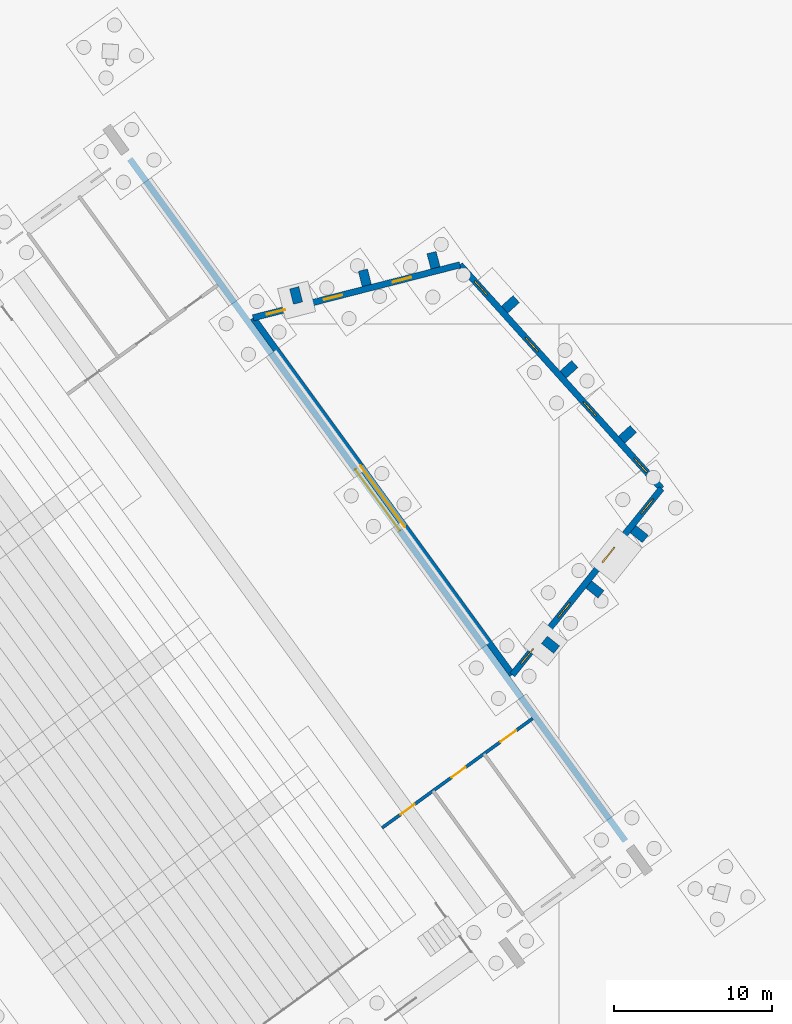
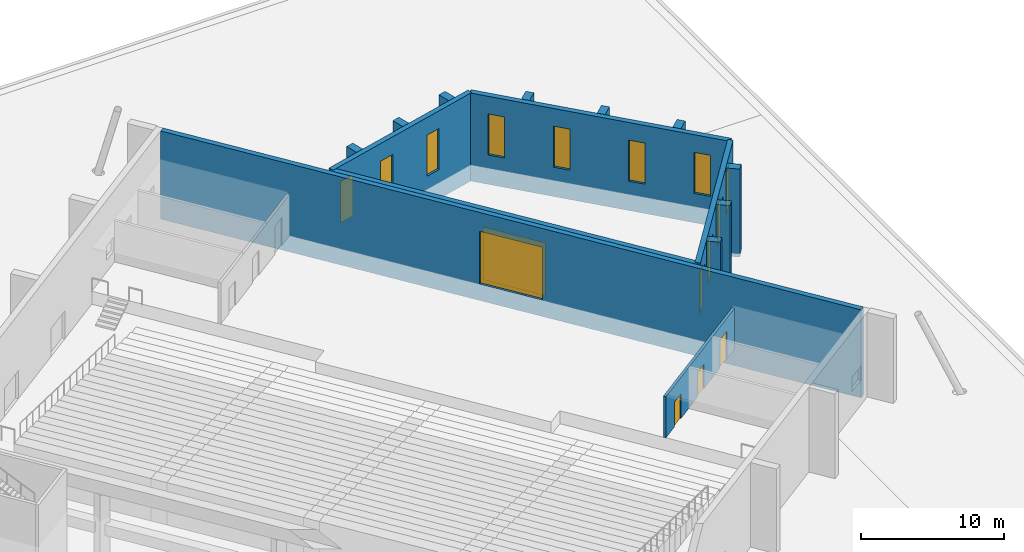
# One storey, part 189 of 239: 15 walls, 11 windows, 5 doors, 16 openings.
"""IFC4 building model written with IfcOpenShell, lengths in metres."""

from ifc_helpers import new_model, si_unit, direction, frame, frame_2d, origin, place, context, subcontext, project, spatial, rectangle, extrude, material, layer, layer_set, type_object, element, fill, save


model = new_model("IFC4")

# Units and contexts
model_context = context("Model", 3, precision=1e-05, world=origin(), true_north=direction((0.0, 1.0)))
body_context = subcontext(model_context, "Body", "Model", "MODEL_VIEW")
ifc_project = project(units=[si_unit("LENGTHUNIT", "METRE"), si_unit("AREAUNIT", "SQUARE_METRE"), si_unit("VOLUMEUNIT", "CUBIC_METRE"), si_unit("PLANEANGLEUNIT", "RADIAN"), si_unit("MASSUNIT", "GRAM", prefix="KILO")], contexts=[model_context])

# Site, building, storey
site_placement = place(None, origin())
site = spatial("IfcSite", under=ifc_project, at=site_placement, CompositionType="ELEMENT")
building_placement = place(site_placement, origin())
building = spatial("IfcBuilding", under=site, at=building_placement, Name="Okhra Congress Centre", CompositionType="ELEMENT")
storey_placement = place(building_placement, origin())
storey = spatial("IfcBuildingStorey", under=building, at=storey_placement, Name="L00", CompositionType="ELEMENT", Elevation=0.0)

# Wall, openings, doors
ifc_material_1 = material(Name="Concrete C30/37", Category="concrete")
ifc_layer_1 = layer(ifc_material_1, 0.199951171875)
ifc_layer_set_1 = layer_set([ifc_layer_1], Name="RC wall 200 REI 120 C30/37")
wall_type_1 = type_object("IfcWallType", Name="RC wall 200 REI 120 C30/37", PredefinedType="SOLIDWALL", material=ifc_layer_set_1)
wall_1_placement = place(storey_placement, frame((262.765380859375, 192.412841796875, 1.10009765625), z_axis=(0.0, 0.0, 1.0), x_axis=(0.809019610765, 0.587781651123, 0.0)))
wall_1 = element("IfcWall", 1, at=wall_1_placement, inside=storey, type_object=wall_type_1, Name="Stage wing S front wall", PredefinedType="SOLIDWALL", context=body_context, shape_type="SweptSolid", body=[
    extrude(rectangle(XDim=11.800048828125, YDim=0.199951171875, at=frame_2d((5.89990234375, 0.0))), origin(), (0.0, 0.0, 1.0), 3.5),
])
opening_1_placement = place(wall_1_placement, frame((1.449951171875, 0.0, 0.0)))
opening_1 = element("IfcOpeningElement", 2, at=opening_1_placement, cuts=wall_1, Name="Opening L00-238", PredefinedType="OPENING", context=body_context, shape_type="SweptSolid", body=[
    extrude(rectangle(XDim=1.10009765625, YDim=2.10009765625, at=frame_2d((0.550048828125, 1.050048828125))), frame((0.0, 0.10986328125, 0.0), z_axis=(0.0, -1.0, 0.0), x_axis=(1.0, 0.0, 0.0)), (0.0, 0.0, 1.0), 0.219970703125),
])
opening_2_placement = place(wall_1_placement, frame((5.449951171875, 0.0, 0.0)))
opening_2 = element("IfcOpeningElement", 3, at=opening_2_placement, cuts=wall_1, Name="Opening L00-239", PredefinedType="OPENING", context=body_context, shape_type="SweptSolid", body=[
    extrude(rectangle(XDim=1.10009765625, YDim=2.10009765625, at=frame_2d((0.550048828125, 1.050048828125))), frame((0.0, 0.10986328125, 0.0), z_axis=(0.0, -1.0, 0.0), x_axis=(1.0, 0.0, 0.0)), (0.0, 0.0, 1.0), 0.219970703125),
])
opening_3_placement = place(wall_1_placement, frame((9.300048828125, 0.0, 0.0)))
opening_3 = element("IfcOpeningElement", 4, at=opening_3_placement, cuts=wall_1, Name="Opening L00-240", PredefinedType="OPENING", context=body_context, shape_type="SweptSolid", body=[
    extrude(rectangle(XDim=1.199951171875, YDim=2.39990234375, at=frame_2d((0.60009765625, 1.199951171875))), frame((0.0, 0.10986328125, 0.0), z_axis=(0.0, -1.0, 0.0), x_axis=(1.0, 0.0, 0.0)), (0.0, 0.0, 1.0), 0.219970703125),
])
ifc_material_2 = material(Name="Timber door leaf in steel frame", Category="steel")
door_type_1 = type_object("IfcDoorType", Name="Single swing door 1100x2100", OperationType="NOTDEFINED", PredefinedType="DOOR", material=ifc_material_2)
door_1_placement = place(opening_1_placement, origin())
door_1 = element("IfcDoor", 5, at=door_1_placement, inside=storey, type_object=door_type_1, Name="Door L00-238", OperationType="SINGLE_SWING_LEFT", OverallHeight=2.10009765625, OverallWidth=1.10009765625, PredefinedType="DOOR", context=body_context, shape_type="SweptSolid", body=[
    extrude(rectangle(XDim=1.10009765625, YDim=2.10009765625, at=frame_2d((0.550048828125, 1.050048828125))), frame((0.0, 0.02490234375, 0.0), z_axis=(0.0, -1.0, 0.0), x_axis=(1.0, 0.0, 0.0)), (0.0, 0.0, 1.0), 0.050048828125),
])
fill(opening_1, door_1)
door_2_placement = place(opening_2_placement, origin())
door_2 = element("IfcDoor", 6, at=door_2_placement, inside=storey, type_object=door_type_1, Name="Door L00-239", OperationType="SINGLE_SWING_LEFT", OverallHeight=2.10009765625, OverallWidth=1.10009765625, PredefinedType="DOOR", context=body_context, shape_type="SweptSolid", body=[
    extrude(rectangle(XDim=1.10009765625, YDim=2.10009765625, at=frame_2d((0.550048828125, 1.050048828125))), frame((0.0, 0.02490234375, 0.0), z_axis=(0.0, -1.0, 0.0), x_axis=(1.0, 0.0, 0.0)), (0.0, 0.0, 1.0), 0.050048828125),
])
fill(opening_2, door_2)
ifc_material_3 = material(Name="Steel fire door leaf in steel frame, intumescent seals", Category="steel")
door_type_2 = type_object("IfcDoorType", Name="Steel fire door 1200x2400 EI 30", OperationType="NOTDEFINED", PredefinedType="DOOR", material=ifc_material_3)
door_3_placement = place(opening_3_placement, origin())
door_3 = element("IfcDoor", 7, at=door_3_placement, inside=storey, type_object=door_type_2, Name="Door L00-240", OperationType="SINGLE_SWING_LEFT", OverallHeight=2.39990234375, OverallWidth=1.199951171875, PredefinedType="DOOR", context=body_context, shape_type="SweptSolid", body=[
    extrude(rectangle(XDim=1.199951171875, YDim=2.39990234375, at=frame_2d((0.60009765625, 1.199951171875))), frame((0.0, 0.02490234375, 0.0), z_axis=(0.0, -1.0, 0.0), x_axis=(1.0, 0.0, 0.0)), (0.0, 0.0, 1.0), 0.050048828125),
])
fill(opening_3, door_3)

# Wall, opening, door
ifc_layer_2 = layer(ifc_material_1, 0.39990234375)
ifc_layer_set_2 = layer_set([ifc_layer_2], Name="RC wall 400 REI 120 C30/37")
wall_type_2 = type_object("IfcWallType", Name="RC wall 400 REI 120 C30/37", PredefinedType="SOLIDWALL", material=ifc_layer_set_2)
wall_2_placement = place(storey_placement, frame((278.20458984375, 191.578369140625, -0.300048828125), z_axis=(0.0, 0.0, 1.0), x_axis=(-0.587787147296, 0.809015617571, 0.0)))
wall_2 = element("IfcWall", 8, at=wall_2_placement, inside=storey, type_object=wall_type_2, Name="End wall E L00", PredefinedType="SOLIDWALL", context=body_context, shape_type="SweptSolid", body=[
    extrude(rectangle(XDim=53.499755859375, YDim=0.39990234375, at=frame_2d((26.75, 0.0))), origin(), (0.0, 0.0, 1.0), 7.5),
])
opening_4_placement = place(wall_2_placement, frame((24.35009765625, 0.0, 1.39990234375)))
opening_4 = element("IfcOpeningElement", 9, at=opening_4_placement, cuts=wall_2, Name="Opening L00-244", PredefinedType="OPENING", context=body_context, shape_type="SweptSolid", body=[
    extrude(rectangle(XDim=4.800048828125, YDim=4.5, at=frame_2d((2.39990234375, 2.25))), frame((0.0, 0.2099609375, 0.0), z_axis=(0.0, -1.0, 0.0), x_axis=(1.0, 0.0, 0.0)), (0.0, 0.0, 1.0), 0.419921875),
])
ifc_material_4 = material(Name="Timber door leaves in steel frame", Category="steel")
door_type_3 = type_object("IfcDoorType", Name="Double swing door 4800x4500", OperationType="NOTDEFINED", PredefinedType="DOOR", material=ifc_material_4)
door_4_placement = place(opening_4_placement, frame((4.800048828125, 0.0, 0.0), z_axis=(0.0, 0.0, 1.0), x_axis=(-1.0, 0.0, 0.0)))
door_4 = element("IfcDoor", 10, at=door_4_placement, inside=storey, type_object=door_type_3, Name="Scenery door", OperationType="DOUBLE_DOOR_SINGLE_SWING", OverallHeight=4.5, OverallWidth=4.800048828125, PredefinedType="DOOR", context=body_context, shape_type="SweptSolid", body=[
    extrude(rectangle(XDim=4.800048828125, YDim=4.5, at=frame_2d((2.39990234375, 2.25))), frame((0.0, 0.02490234375, 0.0), z_axis=(0.0, -1.0, 0.0), x_axis=(1.0, 0.0, 0.0)), (0.0, 0.0, 1.0), 0.050048828125),
])
fill(opening_4, door_4)

wall_3_placement = place(storey_placement, frame((271.033935546875, 202.12841796875, -0.300048828125), z_axis=(0.0, 0.0, 1.0), x_axis=(-0.587787980643, 0.809015012105, 0.0)))
wall_3 = element("IfcWall", 11, at=wall_3_placement, inside=storey, type_object=wall_type_2, Name="Stage house wall W L00", PredefinedType="SOLIDWALL", context=body_context, shape_type="SweptSolid", body=[
    extrude(rectangle(XDim=28.0, YDim=0.39990234375, at=frame_2d((14.0, 0.0))), origin(), (0.0, 0.0, 1.0), 7.5),
])
opening_5_placement = place(wall_3_placement, frame((11.60009765625, 0.0, 1.39990234375)))
opening_5 = element("IfcOpeningElement", 12, at=opening_5_placement, cuts=wall_3, Name="Opening L00-245", PredefinedType="OPENING", context=body_context, shape_type="SweptSolid", body=[
    extrude(rectangle(XDim=4.800048828125, YDim=4.5, at=frame_2d((2.39990234375, 2.25))), frame((0.0, 0.2099609375, 0.0), z_axis=(0.0, -1.0, 0.0), x_axis=(1.0, 0.0, 0.0)), (0.0, 0.0, 1.0), 0.419921875),
])
door_5_placement = place(opening_5_placement, origin())
door_5 = element("IfcDoor", 13, at=door_5_placement, inside=storey, type_object=door_type_3, Name="Scenery door to the stage house", OperationType="DOUBLE_DOOR_SINGLE_SWING", OverallHeight=4.5, OverallWidth=4.800048828125, PredefinedType="DOOR", context=body_context, shape_type="SweptSolid", body=[
    extrude(rectangle(XDim=4.800048828125, YDim=4.5, at=frame_2d((2.39990234375, 2.25))), frame((0.0, 0.02490234375, 0.0), z_axis=(0.0, -1.0, 0.0), x_axis=(1.0, 0.0, 0.0)), (0.0, 0.0, 1.0), 0.050048828125),
])
fill(opening_5, door_5)

# Wall, openings, windows
wall_4_placement = place(storey_placement, frame((280.494384765625, 213.946044921875, -0.300048828125), z_axis=(0.0, 0.0, 1.0), x_axis=(-0.66924426707, 0.743042469173, 0.0)))
wall_4 = element("IfcWall", 14, at=wall_4_placement, inside=storey, type_object=wall_type_2, Name="Stage house wall E L00", PredefinedType="SOLIDWALL", context=body_context, shape_type="SweptSolid", body=[
    extrude(rectangle(XDim=19.10498046875, YDim=0.39990234375, at=frame_2d((9.552490234375, 0.0))), origin(), (0.0, 0.0, 1.0), 7.5),
])
opening_6_placement = place(wall_4_placement, frame((1.39990234375, 0.0, 2.5)))
opening_6 = element("IfcOpeningElement", 15, at=opening_6_placement, cuts=wall_4, Name="Opening WN37", PredefinedType="OPENING", context=body_context, shape_type="SweptSolid", body=[
    extrude(rectangle(XDim=1.199951171875, YDim=3.5, at=frame_2d((0.60009765625, 1.75))), frame((0.0, 0.2099609375, 0.0), z_axis=(0.0, -1.0, 0.0), x_axis=(1.0, 0.0, 0.0)), (0.0, 0.0, 1.0), 0.419921875),
])
opening_7_placement = place(wall_4_placement, frame((6.199951171875, 0.0, 2.5)))
opening_7 = element("IfcOpeningElement", 16, at=opening_7_placement, cuts=wall_4, Name="Opening WN37", PredefinedType="OPENING", context=body_context, shape_type="SweptSolid", body=[
    extrude(rectangle(XDim=1.199951171875, YDim=3.5, at=frame_2d((0.60009765625, 1.75))), frame((0.0, 0.2099609375, 0.0), z_axis=(0.0, -1.0, 0.0), x_axis=(1.0, 0.0, 0.0)), (0.0, 0.0, 1.0), 0.419921875),
])
opening_8_placement = place(wall_4_placement, frame((11.699951171875, 0.0, 2.5)))
opening_8 = element("IfcOpeningElement", 17, at=opening_8_placement, cuts=wall_4, Name="Opening WN37", PredefinedType="OPENING", context=body_context, shape_type="SweptSolid", body=[
    extrude(rectangle(XDim=1.199951171875, YDim=3.5, at=frame_2d((0.60009765625, 1.75))), frame((0.0, 0.2099609375, 0.0), z_axis=(0.0, -1.0, 0.0), x_axis=(1.0, 0.0, 0.0)), (0.0, 0.0, 1.0), 0.419921875),
])
opening_9_placement = place(wall_4_placement, frame((16.5, 0.0, 2.5)))
opening_9 = element("IfcOpeningElement", 18, at=opening_9_placement, cuts=wall_4, Name="Opening WN37", PredefinedType="OPENING", context=body_context, shape_type="SweptSolid", body=[
    extrude(rectangle(XDim=1.199951171875, YDim=3.5, at=frame_2d((0.60009765625, 1.75))), frame((0.0, 0.2099609375, 0.0), z_axis=(0.0, -1.0, 0.0), x_axis=(1.0, 0.0, 0.0)), (0.0, 0.0, 1.0), 0.419921875),
])
ifc_material_5 = material(Name="Thermally broken aluminium frame, triple glazing", Category="aluminium")
window_type = type_object("IfcWindowType", Name="Fixed window 1200x3500", PartitioningType="SINGLE_PANEL", PredefinedType="WINDOW", material=ifc_material_5)
window_1_placement = place(opening_6_placement, origin())
window_1 = element("IfcWindow", 19, at=window_1_placement, inside=storey, type_object=window_type, Name="Stage house slot window", OverallHeight=3.5, OverallWidth=1.199951171875, PartitioningType="SINGLE_PANEL", PredefinedType="WINDOW", context=body_context, shape_type="SweptSolid", body=[
    extrude(rectangle(XDim=1.199951171875, YDim=3.5, at=frame_2d((0.60009765625, 1.75))), frame((0.0, 0.030029296875, 0.0), z_axis=(0.0, -1.0, 0.0), x_axis=(1.0, 0.0, 0.0)), (0.0, 0.0, 1.0), 0.06005859375),
])
fill(opening_6, window_1)
window_2_placement = place(opening_7_placement, origin())
window_2 = element("IfcWindow", 20, at=window_2_placement, inside=storey, type_object=window_type, Name="Stage house slot window", OverallHeight=3.5, OverallWidth=1.199951171875, PartitioningType="SINGLE_PANEL", PredefinedType="WINDOW", context=body_context, shape_type="SweptSolid", body=[
    extrude(rectangle(XDim=1.199951171875, YDim=3.5, at=frame_2d((0.60009765625, 1.75))), frame((0.0, 0.030029296875, 0.0), z_axis=(0.0, -1.0, 0.0), x_axis=(1.0, 0.0, 0.0)), (0.0, 0.0, 1.0), 0.06005859375),
])
fill(opening_7, window_2)
window_3_placement = place(opening_8_placement, origin())
window_3 = element("IfcWindow", 21, at=window_3_placement, inside=storey, type_object=window_type, Name="Stage house slot window", OverallHeight=3.5, OverallWidth=1.199951171875, PartitioningType="SINGLE_PANEL", PredefinedType="WINDOW", context=body_context, shape_type="SweptSolid", body=[
    extrude(rectangle(XDim=1.199951171875, YDim=3.5, at=frame_2d((0.60009765625, 1.75))), frame((0.0, 0.030029296875, 0.0), z_axis=(0.0, -1.0, 0.0), x_axis=(1.0, 0.0, 0.0)), (0.0, 0.0, 1.0), 0.06005859375),
])
fill(opening_8, window_3)
window_4_placement = place(opening_9_placement, origin())
window_4 = element("IfcWindow", 22, at=window_4_placement, inside=storey, type_object=window_type, Name="Stage house slot window", OverallHeight=3.5, OverallWidth=1.199951171875, PartitioningType="SINGLE_PANEL", PredefinedType="WINDOW", context=body_context, shape_type="SweptSolid", body=[
    extrude(rectangle(XDim=1.199951171875, YDim=3.5, at=frame_2d((0.60009765625, 1.75))), frame((0.0, 0.030029296875, 0.0), z_axis=(0.0, -1.0, 0.0), x_axis=(1.0, 0.0, 0.0)), (0.0, 0.0, 1.0), 0.06005859375),
])
fill(opening_9, window_4)

wall_5_placement = place(storey_placement, frame((271.033935546875, 202.12841796875, -0.300048828125), z_axis=(0.0, 0.0, 1.0), x_axis=(0.624950698066, 0.780664220384, 0.0)))
wall_5 = element("IfcWall", 23, at=wall_5_placement, inside=storey, type_object=wall_type_2, Name="Stage house wall S L00", PredefinedType="SOLIDWALL", context=body_context, shape_type="SweptSolid", body=[
    extrude(rectangle(XDim=15.137939453125, YDim=0.39990234375, at=frame_2d((7.56884765625, 0.0))), origin(), (0.0, 0.0, 1.0), 7.5),
])
opening_10_placement = place(wall_5_placement, frame((0.89990234375, 0.0, 2.5)))
opening_10 = element("IfcOpeningElement", 24, at=opening_10_placement, cuts=wall_5, Name="Opening WN37", PredefinedType="OPENING", context=body_context, shape_type="SweptSolid", body=[
    extrude(rectangle(XDim=1.199951171875, YDim=3.5, at=frame_2d((0.60009765625, 1.75))), frame((0.0, 0.2099609375, 0.0), z_axis=(0.0, -1.0, 0.0), x_axis=(1.0, 0.0, 0.0)), (0.0, 0.0, 1.0), 0.419921875),
])
opening_11_placement = place(wall_5_placement, frame((4.64990234375, 0.0, 2.5)))
opening_11 = element("IfcOpeningElement", 25, at=opening_11_placement, cuts=wall_5, Name="Opening WN37", PredefinedType="OPENING", context=body_context, shape_type="SweptSolid", body=[
    extrude(rectangle(XDim=1.199951171875, YDim=3.5, at=frame_2d((0.60009765625, 1.75))), frame((0.0, 0.2099609375, 0.0), z_axis=(0.0, -1.0, 0.0), x_axis=(1.0, 0.0, 0.0)), (0.0, 0.0, 1.0), 0.419921875),
])
opening_12_placement = place(wall_5_placement, frame((9.14990234375, 0.0, 2.5)))
opening_12 = element("IfcOpeningElement", 26, at=opening_12_placement, cuts=wall_5, Name="Opening WN37", PredefinedType="OPENING", context=body_context, shape_type="SweptSolid", body=[
    extrude(rectangle(XDim=1.199951171875, YDim=3.5, at=frame_2d((0.60009765625, 1.75))), frame((0.0, 0.2099609375, 0.0), z_axis=(0.0, -1.0, 0.0), x_axis=(1.0, 0.0, 0.0)), (0.0, 0.0, 1.0), 0.419921875),
])
opening_13_placement = place(wall_5_placement, frame((13.10009765625, 0.0, 2.5)))
opening_13 = element("IfcOpeningElement", 27, at=opening_13_placement, cuts=wall_5, Name="Opening WN37", PredefinedType="OPENING", context=body_context, shape_type="SweptSolid", body=[
    extrude(rectangle(XDim=1.199951171875, YDim=3.5, at=frame_2d((0.60009765625, 1.75))), frame((0.0, 0.2099609375, 0.0), z_axis=(0.0, -1.0, 0.0), x_axis=(1.0, 0.0, 0.0)), (0.0, 0.0, 1.0), 0.419921875),
])
window_5_placement = place(opening_10_placement, origin())
window_5 = element("IfcWindow", 28, at=window_5_placement, inside=storey, type_object=window_type, Name="Stage house slot window", OverallHeight=3.5, OverallWidth=1.199951171875, PartitioningType="SINGLE_PANEL", PredefinedType="WINDOW", context=body_context, shape_type="SweptSolid", body=[
    extrude(rectangle(XDim=1.199951171875, YDim=3.5, at=frame_2d((0.60009765625, 1.75))), frame((0.0, 0.030029296875, 0.0), z_axis=(0.0, -1.0, 0.0), x_axis=(1.0, 0.0, 0.0)), (0.0, 0.0, 1.0), 0.06005859375),
])
fill(opening_10, window_5)
window_6_placement = place(opening_11_placement, origin())
window_6 = element("IfcWindow", 29, at=window_6_placement, inside=storey, type_object=window_type, Name="Stage house slot window", OverallHeight=3.5, OverallWidth=1.199951171875, PartitioningType="SINGLE_PANEL", PredefinedType="WINDOW", context=body_context, shape_type="SweptSolid", body=[
    extrude(rectangle(XDim=1.199951171875, YDim=3.5, at=frame_2d((0.60009765625, 1.75))), frame((0.0, 0.030029296875, 0.0), z_axis=(0.0, -1.0, 0.0), x_axis=(1.0, 0.0, 0.0)), (0.0, 0.0, 1.0), 0.06005859375),
])
fill(opening_11, window_6)
window_7_placement = place(opening_12_placement, origin())
window_7 = element("IfcWindow", 30, at=window_7_placement, inside=storey, type_object=window_type, Name="Stage house slot window", OverallHeight=3.5, OverallWidth=1.199951171875, PartitioningType="SINGLE_PANEL", PredefinedType="WINDOW", context=body_context, shape_type="SweptSolid", body=[
    extrude(rectangle(XDim=1.199951171875, YDim=3.5, at=frame_2d((0.60009765625, 1.75))), frame((0.0, 0.030029296875, 0.0), z_axis=(0.0, -1.0, 0.0), x_axis=(1.0, 0.0, 0.0)), (0.0, 0.0, 1.0), 0.06005859375),
])
fill(opening_12, window_7)
window_8_placement = place(opening_13_placement, origin())
window_8 = element("IfcWindow", 31, at=window_8_placement, inside=storey, type_object=window_type, Name="Stage house slot window", OverallHeight=3.5, OverallWidth=1.199951171875, PartitioningType="SINGLE_PANEL", PredefinedType="WINDOW", context=body_context, shape_type="SweptSolid", body=[
    extrude(rectangle(XDim=1.199951171875, YDim=3.5, at=frame_2d((0.60009765625, 1.75))), frame((0.0, 0.030029296875, 0.0), z_axis=(0.0, -1.0, 0.0), x_axis=(1.0, 0.0, 0.0)), (0.0, 0.0, 1.0), 0.06005859375),
])
fill(opening_13, window_8)

wall_6_placement = place(storey_placement, frame((254.575927734375, 224.78076171875, -0.300048828125), z_axis=(0.0, 0.0, 1.0), x_axis=(0.968774540498, 0.247943319496, 0.0)))
wall_6 = element("IfcWall", 32, at=wall_6_placement, inside=storey, type_object=wall_type_2, Name="Stage house wall N L00", PredefinedType="SOLIDWALL", context=body_context, shape_type="SweptSolid", body=[
    extrude(rectangle(XDim=13.555908203125, YDim=0.39990234375, at=frame_2d((6.77783203125, 0.0))), origin(), (0.0, 0.0, 1.0), 7.5),
])
opening_14_placement = place(wall_6_placement, frame((0.89990234375, 0.0, 2.5)))
opening_14 = element("IfcOpeningElement", 33, at=opening_14_placement, cuts=wall_6, Name="Opening WN37", PredefinedType="OPENING", context=body_context, shape_type="SweptSolid", body=[
    extrude(rectangle(XDim=1.199951171875, YDim=3.5, at=frame_2d((0.60009765625, 1.75))), frame((0.0, 0.2099609375, 0.0), z_axis=(0.0, -1.0, 0.0), x_axis=(1.0, 0.0, 0.0)), (0.0, 0.0, 1.0), 0.419921875),
])
opening_15_placement = place(wall_6_placement, frame((4.64990234375, 0.0, 2.5)))
opening_15 = element("IfcOpeningElement", 34, at=opening_15_placement, cuts=wall_6, Name="Opening WN37", PredefinedType="OPENING", context=body_context, shape_type="SweptSolid", body=[
    extrude(rectangle(XDim=1.199951171875, YDim=3.5, at=frame_2d((0.60009765625, 1.75))), frame((0.0, 0.2099609375, 0.0), z_axis=(0.0, -1.0, 0.0), x_axis=(1.0, 0.0, 0.0)), (0.0, 0.0, 1.0), 0.419921875),
])
opening_16_placement = place(wall_6_placement, frame((9.14990234375, 0.0, 2.5)))
opening_16 = element("IfcOpeningElement", 35, at=opening_16_placement, cuts=wall_6, Name="Opening WN37", PredefinedType="OPENING", context=body_context, shape_type="SweptSolid", body=[
    extrude(rectangle(XDim=1.199951171875, YDim=3.5, at=frame_2d((0.60009765625, 1.75))), frame((0.0, 0.2099609375, 0.0), z_axis=(0.0, -1.0, 0.0), x_axis=(1.0, 0.0, 0.0)), (0.0, 0.0, 1.0), 0.419921875),
])
window_9_placement = place(opening_14_placement, origin())
window_9 = element("IfcWindow", 36, at=window_9_placement, inside=storey, type_object=window_type, Name="Stage house slot window", OverallHeight=3.5, OverallWidth=1.199951171875, PartitioningType="SINGLE_PANEL", PredefinedType="WINDOW", context=body_context, shape_type="SweptSolid", body=[
    extrude(rectangle(XDim=1.199951171875, YDim=3.5, at=frame_2d((0.60009765625, 1.75))), frame((0.0, 0.030029296875, 0.0), z_axis=(0.0, -1.0, 0.0), x_axis=(1.0, 0.0, 0.0)), (0.0, 0.0, 1.0), 0.06005859375),
])
fill(opening_14, window_9)
window_10_placement = place(opening_15_placement, origin())
window_10 = element("IfcWindow", 37, at=window_10_placement, inside=storey, type_object=window_type, Name="Stage house slot window", OverallHeight=3.5, OverallWidth=1.199951171875, PartitioningType="SINGLE_PANEL", PredefinedType="WINDOW", context=body_context, shape_type="SweptSolid", body=[
    extrude(rectangle(XDim=1.199951171875, YDim=3.5, at=frame_2d((0.60009765625, 1.75))), frame((0.0, 0.030029296875, 0.0), z_axis=(0.0, -1.0, 0.0), x_axis=(1.0, 0.0, 0.0)), (0.0, 0.0, 1.0), 0.06005859375),
])
fill(opening_15, window_10)
window_11_placement = place(opening_16_placement, origin())
window_11 = element("IfcWindow", 38, at=window_11_placement, inside=storey, type_object=window_type, Name="Stage house slot window", OverallHeight=3.5, OverallWidth=1.199951171875, PartitioningType="SINGLE_PANEL", PredefinedType="WINDOW", context=body_context, shape_type="SweptSolid", body=[
    extrude(rectangle(XDim=1.199951171875, YDim=3.5, at=frame_2d((0.60009765625, 1.75))), frame((0.0, 0.030029296875, 0.0), z_axis=(0.0, -1.0, 0.0), x_axis=(1.0, 0.0, 0.0)), (0.0, 0.0, 1.0), 0.06005859375),
])
fill(opening_16, window_11)

# Walls
ifc_material_6 = material(Name="Concrete C35/45", Category="concrete")
ifc_layer_3 = layer(ifc_material_6, 0.60009765625)
ifc_layer_set_3 = layer_set([ifc_layer_3], Name="Stage house fin 600 R 120 C35/45")
wall_type_3 = type_object("IfcWallType", Name="Stage house fin 600 R 120 C35/45", PredefinedType="SOLIDWALL", material=ifc_layer_set_3)
for number, where, z_axis, x_axis, name in (
    (39, (277.966064453125, 217.052001953125, -0.300048828125), (0.0, 0.0, 1.0), (0.742893420828, 0.669409714069, 0.0), "Stage house fin E1 L00"),
    (40, (274.251708984375, 221.176025390625, -0.300048828125), (0.0, 0.0, 1.0), (0.743124177136, 0.669153537953, 0.0), "Stage house fin E2 L00"),
    (41, (270.537353515625, 225.2998046875, -0.300048828125), (0.0, 0.0, 1.0), (0.743124177136, 0.669153537953, 0.0), "Stage house fin E3 L00"),
    (42, (273.06494140625, 204.345458984375, -0.300048828125), (0.0, 0.0, 1.0), (0.78058288061, -0.625052291011, 0.0), "Stage house fin S1 L00"),
    (43, (275.877197265625, 207.8583984375, -0.300048828125), (0.0, 0.0, 1.0), (0.78058288061, -0.625052291011, 0.0), "Stage house fin S2 L00"),
    (44, (278.689453125, 211.371337890625, -0.300048828125), (0.0, 0.0, 1.0), (0.780678244716, -0.62493317901, 0.0), "Stage house fin S3 L00"),
):
    element("IfcWall", number, at=place(storey_placement, frame(where, z_axis=z_axis, x_axis=x_axis)), inside=storey, type_object=wall_type_3, Name=name, PredefinedType="SOLIDWALL", context=body_context, shape_type="SweptSolid", body=[
        extrude(rectangle(XDim=1.0, YDim=0.60009765625, at=frame_2d((0.5, 0.0))), origin(), (0.0, 0.0, 1.0), 7.5),
    ])
for number, where, z_axis, x_axis, name in (
    (45, (257.4326171875, 225.71826171875, -0.300048828125), (0.0, 0.0, 1.0), (-0.247758657109, 0.968821783316, 0.0), "Stage house fin N1 L00"),
    (46, (261.792236328125, 226.833984375, -0.300048828125), (0.0, 0.0, 1.0), (-0.247987749771, 0.96876316815, 0.0), "Stage house fin N2 L00"),
    (47, (266.151611328125, 227.94970703125, -0.300048828125), (0.0, 0.0, 1.0), (-0.247758657109, 0.968821783316, 0.0), "Stage house fin N3 L00"),
):
    element("IfcWall", number, at=place(storey_placement, frame(where, z_axis=z_axis, x_axis=x_axis)), inside=storey, type_object=wall_type_3, Name=name, PredefinedType="SOLIDWALL", context=body_context, shape_type="SweptSolid", body=[
        extrude(rectangle(XDim=1.000244140625, YDim=0.60009765625, at=frame_2d((0.5, 0.0))), origin(), (0.0, 0.0, 1.0), 7.5),
    ])

save(model, "model.ifc")
